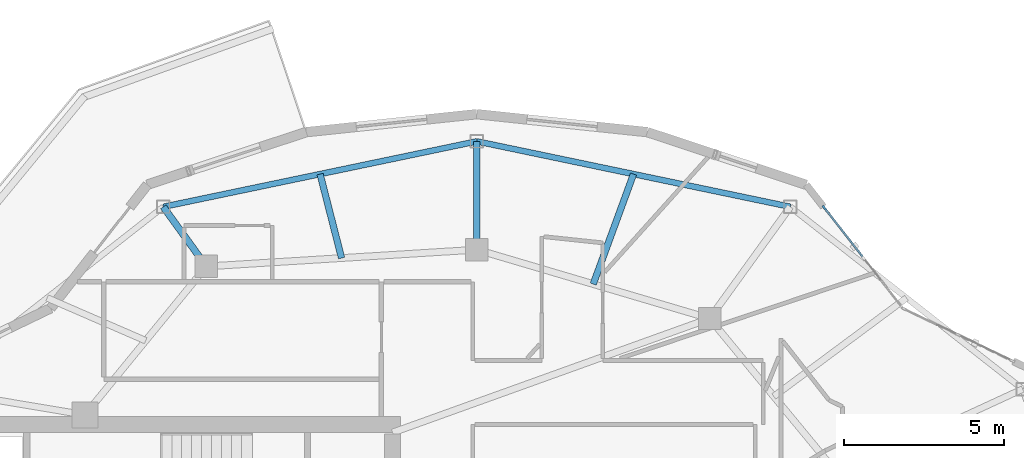
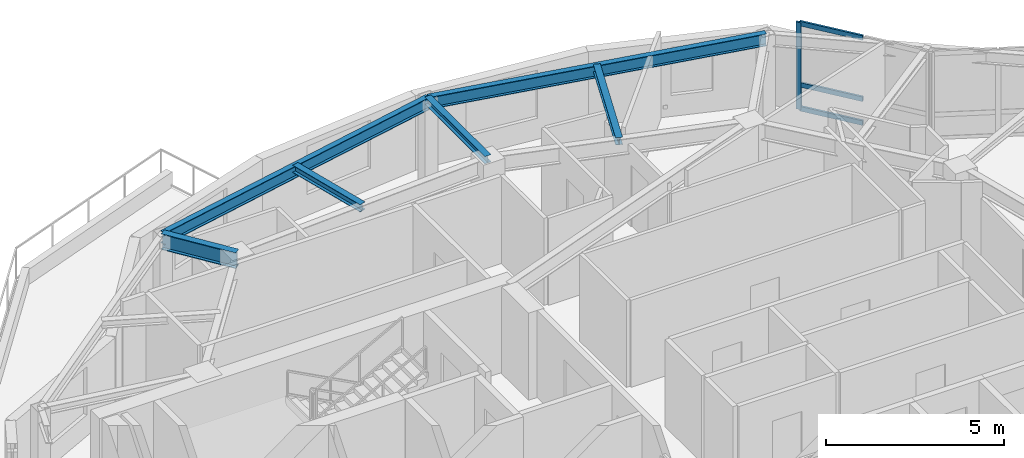
# One storey, part 5 of 15: 6 beams, 4 members, 1 element without a shape of its own.
"""IFC4 building model written with IfcOpenShell, lengths in metres."""

from ifc_helpers import new_model, si_unit, direction, frame, origin, origin_2d, place, context, subcontext, project, spatial, rectangle, i_section, extrude, material, layer, layer_set, material_profile, profile_set, type_object, element, aggregate, save


model = new_model("IFC4")

# Units and contexts
model_context = context("Model", 3, precision=1e-05, world=origin(), true_north=direction((0.0, 1.0)))
body_context = subcontext(model_context, "Body", "Model", "MODEL_VIEW")
ifc_project = project(units=[si_unit("LENGTHUNIT", "METRE"), si_unit("AREAUNIT", "SQUARE_METRE"), si_unit("VOLUMEUNIT", "CUBIC_METRE"), si_unit("PLANEANGLEUNIT", "RADIAN"), si_unit("MASSUNIT", "GRAM", prefix="KILO")], contexts=[model_context])

# Site, building, storey
site_placement = place(None, origin())
site = spatial("IfcSite", under=ifc_project, at=site_placement, CompositionType="ELEMENT")
building_placement = place(site_placement, origin())
building = spatial("IfcBuilding", under=site, at=building_placement, Name="Kolvaren Gate Tower and Convention Centre", CompositionType="ELEMENT")
storey_placement = place(building_placement, frame((0.0, 0.0, 272.300048828125)))
storey = spatial("IfcBuildingStorey", under=building, at=storey_placement, Name="L74", CompositionType="ELEMENT", Elevation=272.300048828125)

# Curtain wall, members
ifc_material_1 = material(Name="Anodized Architectural Aluminium Alloy 6063-T6", Category="aluminium")
ifc_layer = layer(ifc_material_1, 0.159912109375)
ifc_layer_set = layer_set([ifc_layer], Name="Anodized Architectural Aluminium Alloy 6063-T6")
curtain_wall_type = type_object("IfcCurtainWallType", Name="CW-RES-UNIT", PredefinedType="NOTDEFINED", material=ifc_layer_set)
curtain_wall_placement = place(storey_placement, origin())
curtain_wall = element("IfcCurtainWall", 1, at=curtain_wall_placement, inside=storey, type_object=curtain_wall_type, Name="Tower L74 Unitised Curtain Wall CW-RES-UNIT Bay 03", PredefinedType="NOTDEFINED")
ifc_material_profile_1 = material_profile(ifc_material_1, rectangle(XDim=0.06494140625, YDim=0.159912109375, at=origin_2d()), Name="CW-MEM-MUL-160")
ifc_profile_set_1 = profile_set([ifc_material_profile_1], Name="Anodized Architectural Aluminium Alloy 6063-T6")
member_type_1 = type_object("IfcMemberType", Name="CW-MEM-MUL-160", PredefinedType="MULLION", material=ifc_profile_set_1)
member_1_placement = place(storey_placement, frame((40.95068359375, 40.509033203125, 0.0), z_axis=(0.0, 0.0, 1.0), x_axis=(0.787407693173, 0.616432579226, 0.0)))
member_1 = element("IfcMember", 2, at=member_1_placement, type_object=member_type_1, Name="CW-04 mullion 1", PredefinedType="MULLION", context=body_context, shape_type="SweptSolid", body=[
    extrude(rectangle(XDim=0.06494140625, YDim=0.159912109375, at=origin_2d()), origin(), (0.0, 0.0, 1.0), 2.97998046875),
])
ifc_material_profile_2 = material_profile(ifc_material_1, rectangle(XDim=0.06494140625, YDim=0.159912109375, at=origin_2d()), Name="CW-MEM-TRN-160")
ifc_profile_set_2 = profile_set([ifc_material_profile_2], Name="Anodized Architectural Aluminium Alloy 6063-T6")
member_type_2 = type_object("IfcMemberType", Name="CW-MEM-TRN-160", PredefinedType="USERDEFINED", material=ifc_profile_set_2)
member_2_placement = place(storey_placement, frame((40.970703125, 40.4833984375, 0.032470703125), z_axis=(0.616470366862, -0.787378109158, 0.0), x_axis=(0.787378109158, 0.616470366862, 0.0)))
member_2 = element("IfcMember", 3, at=member_2_placement, type_object=member_type_2, Name="CW-04 transom 1.1", ObjectType="TRANSOM", PredefinedType="USERDEFINED", context=body_context, shape_type="SweptSolid", body=[
    extrude(rectangle(XDim=0.06494140625, YDim=0.159912109375, at=origin_2d()), origin(), (0.0, 0.0, 1.0), 1.908447265625),
])
member_3_placement = place(storey_placement, frame((40.970703125, 40.4833984375, 0.849853515625), z_axis=(0.616470366862, -0.787378109158, 0.0), x_axis=(0.787378109158, 0.616470366862, 0.0)))
member_3 = element("IfcMember", 4, at=member_3_placement, type_object=member_type_2, Name="CW-04 transom 1.2", ObjectType="TRANSOM", PredefinedType="USERDEFINED", context=body_context, shape_type="SweptSolid", body=[
    extrude(rectangle(XDim=0.06494140625, YDim=0.159912109375, at=origin_2d()), origin(), (0.0, 0.0, 1.0), 1.908447265625),
])
member_4_placement = place(storey_placement, frame((40.970703125, 40.4833984375, 2.947509765625), z_axis=(0.616470366862, -0.787378109158, 0.0), x_axis=(0.787378109158, 0.616470366862, 0.0)))
member_4 = element("IfcMember", 5, at=member_4_placement, type_object=member_type_2, Name="CW-04 transom 1.3", ObjectType="TRANSOM", PredefinedType="USERDEFINED", context=body_context, shape_type="SweptSolid", body=[
    extrude(rectangle(XDim=0.06494140625, YDim=0.159912109375, at=origin_2d()), origin(), (0.0, 0.0, 1.0), 1.908447265625),
])
aggregate(curtain_wall, [member_1, member_2, member_3, member_4])

# Beams
ifc_material_2 = material(Name="Structural steel ASTM A992 Grade 345 MPa", Category="steel")
ifc_material_profile_3 = material_profile(ifc_material_2, i_section(OverallWidth=0.2119140625, OverallDepth=0.5439453125, WebThickness=0.01318359375, FlangeThickness=0.021240234375, at=origin_2d()), Name="W530X123")
ifc_profile_set_3 = profile_set([ifc_material_profile_3], Name="Structural steel ASTM A992 Grade 345 MPa")
beam_type_1 = type_object("IfcBeamType", Name="STR-BM-W530X123", PredefinedType="BEAM", material=ifc_profile_set_3)
beam_1_placement = place(storey_placement, frame((21.697998046875, 38.6767578125, 2.7080078125), z_axis=(-0.585241610653, 0.810858962558, 0.0), x_axis=(-0.810858962558, -0.585241610653, 0.0)))
element("IfcBeam", 6, at=beam_1_placement, inside=storey, type_object=beam_type_1, Name="Tower L74 Radial Floor Girder RB-05", PredefinedType="BEAM", context=body_context, shape_type="SweptSolid", body=[
    extrude(i_section(OverallWidth=0.2119140625, OverallDepth=0.5439453125, WebThickness=0.01318359375, FlangeThickness=0.021240234375, at=origin_2d()), origin(), (0.0, 0.0, 1.0), 2.2919921875),
])
ifc_material_profile_4 = material_profile(ifc_material_2, i_section(OverallWidth=0.202880859375, OverallDepth=0.251953125, WebThickness=0.008056640625, FlangeThickness=0.013427734375, at=origin_2d()), Name="W250X58")
ifc_profile_set_4 = profile_set([ifc_material_profile_4], Name="Structural steel ASTM A992 Grade 345 MPa")
beam_type_2 = type_object("IfcBeamType", Name="STR-JS-W250X58", PredefinedType="JOIST", material=ifc_profile_set_4)
beam_2_placement = place(storey_placement, frame((30.125, 39.199951171875, 2.85400390625), z_axis=(0.0, 1.0, 0.0), x_axis=(-1.0, 0.0, 0.0)))
element("IfcBeam", 7, at=beam_2_placement, inside=storey, type_object=beam_type_2, Name="Tower L74 Radial Floor Girder RB-04", PredefinedType="JOIST", context=body_context, shape_type="SweptSolid", body=[
    extrude(i_section(OverallWidth=0.202880859375, OverallDepth=0.251953125, WebThickness=0.008056640625, FlangeThickness=0.013427734375, at=origin_2d()), origin(), (0.0, 0.0, 1.0), 3.375),
])
beam_3_placement = place(storey_placement, frame((33.75341796875, 38.12744140625, 2.85400390625), z_axis=(0.343959865764, 0.938984350638, 0.0), x_axis=(-0.938984350638, 0.343959865764, 0.0)))
element("IfcBeam", 8, at=beam_3_placement, inside=storey, type_object=beam_type_2, Name="Tower L74 Secondary Composite Floor Joist J-03.1", PredefinedType="JOIST", context=body_context, shape_type="SweptSolid", body=[
    extrude(i_section(OverallWidth=0.202880859375, OverallDepth=0.251953125, WebThickness=0.008056640625, FlangeThickness=0.013427734375, at=origin_2d()), origin(), (0.0, 0.0, 1.0), 3.650390625),
])
beam_4_placement = place(storey_placement, frame((25.91162109375, 38.938232421875, 2.85400390625), z_axis=(-0.248251414505, 0.968695635995, 0.0), x_axis=(-0.968695635995, -0.248251414505, 0.0)))
element("IfcBeam", 9, at=beam_4_placement, inside=storey, type_object=beam_type_2, Name="Tower L74 Secondary Composite Floor Joist J-04.1", PredefinedType="JOIST", context=body_context, shape_type="SweptSolid", body=[
    extrude(i_section(OverallWidth=0.202880859375, OverallDepth=0.251953125, WebThickness=0.008056640625, FlangeThickness=0.013427734375, at=origin_2d()), origin(), (0.0, 0.0, 1.0), 2.701416015625),
])
ifc_material_profile_5 = material_profile(ifc_material_2, i_section(OverallWidth=0.180908203125, OverallDepth=0.4169921875, WebThickness=0.010986328125, FlangeThickness=0.018310546875, at=origin_2d()), Name="W410X85")
ifc_profile_set_5 = profile_set([ifc_material_profile_5], Name="Structural steel ASTM A992 Grade 345 MPa")
beam_type_3 = type_object("IfcBeamType", Name="STR-SP-W410X85", PredefinedType="SPANDREL", material=ifc_profile_set_5)
for number, where, z_axis, x_axis, name in (
    (10, (39.893310546875, 40.53515625, 2.771484375), (-0.978885668593, 0.204408531681, 0.0), (-0.204408531681, -0.978885668593, 0.0), "Tower L74 Perimeter Spandrel Beam SP-03"),
    (11, (30.125, 42.574951171875, 2.771484375), (-0.978885668593, -0.204408531681, 0.0), (0.204408531681, -0.978885668593, 0.0), "Tower L74 Perimeter Spandrel Beam SP-04"),
):
    element("IfcBeam", number, at=place(storey_placement, frame(where, z_axis=z_axis, x_axis=x_axis)), inside=storey, type_object=beam_type_3, Name=name, PredefinedType="SPANDREL", context=body_context, shape_type="SweptSolid", body=[
        extrude(i_section(OverallWidth=0.180908203125, OverallDepth=0.4169921875, WebThickness=0.010986328125, FlangeThickness=0.018310546875, at=origin_2d()), origin(), (0.0, 0.0, 1.0), 9.97900390625),
    ])

save(model, "model.ifc")
